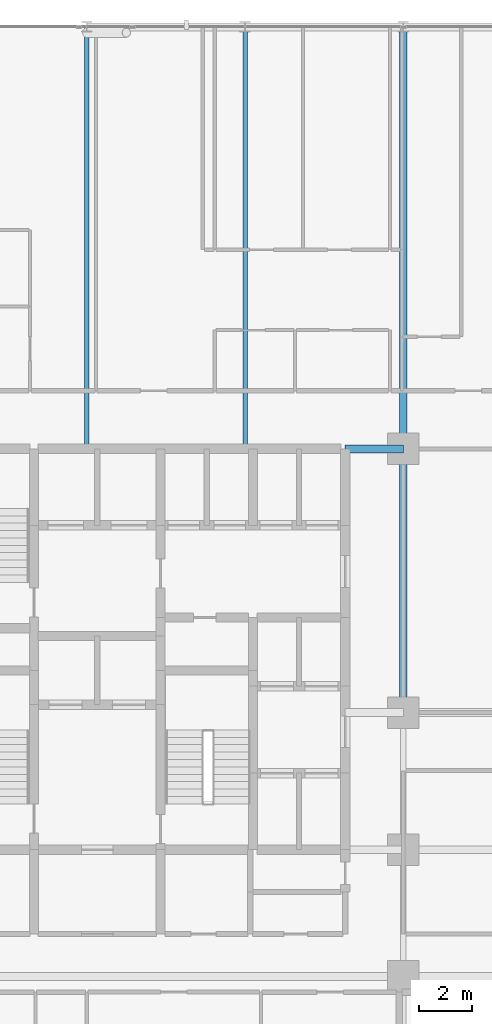
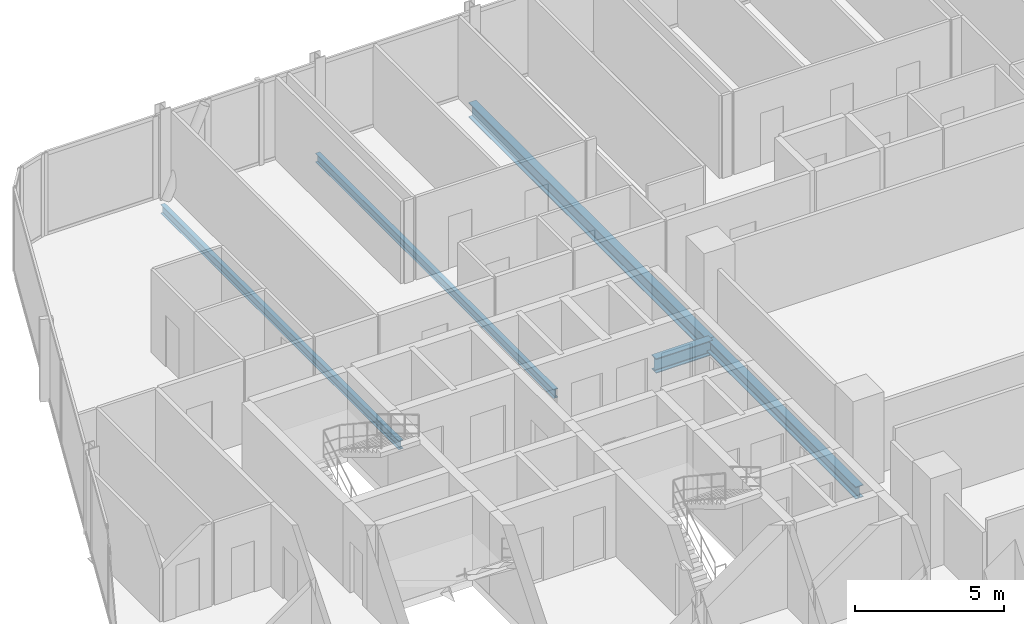
# One storey, part 13 of 34: 5 beams.
"""IFC4 building model written with IfcOpenShell, lengths in metres."""

from ifc_helpers import new_model, si_unit, direction, frame, origin, origin_2d, place, context, subcontext, project, spatial, i_section, extrude, material, material_profile, profile_set, type_object, element, save


model = new_model("IFC4")

# Units and contexts
model_context = context("Model", 3, precision=1e-05, world=origin(), true_north=direction((0.0, 1.0)))
body_context = subcontext(model_context, "Body", "Model", "MODEL_VIEW")
ifc_project = project(units=[si_unit("LENGTHUNIT", "METRE"), si_unit("AREAUNIT", "SQUARE_METRE"), si_unit("VOLUMEUNIT", "CUBIC_METRE"), si_unit("PLANEANGLEUNIT", "RADIAN"), si_unit("MASSUNIT", "GRAM", prefix="KILO")], contexts=[model_context])

# Site, building, storey
site_placement = place(None, origin())
site = spatial("IfcSite", under=ifc_project, at=site_placement, CompositionType="ELEMENT")
building_placement = place(site_placement, origin())
building = spatial("IfcBuilding", under=site, at=building_placement, Name="Keshet Zoharim Tower", CompositionType="ELEMENT")
storey_placement = place(building_placement, frame((0.0, 0.0, 53.60009765625)))
storey = spatial("IfcBuildingStorey", under=building, at=storey_placement, Name="L12", CompositionType="ELEMENT", Elevation=53.60009765625)

# Beams
ifc_material = material(Name="Steel S355", Category="steel")
ifc_material_profile_1 = material_profile(ifc_material, i_section(OverallWidth=0.300048828125, OverallDepth=0.60009765625, WebThickness=0.015380859375, FlangeThickness=0.030029296875, FilletRadius=0.027099609375, at=origin_2d()), Name="HEB600")
ifc_profile_set_1 = profile_set([ifc_material_profile_1], Name="Steel S355")
beam_type_1 = type_object("IfcBeamType", Name="BM-CLK-HB600", PredefinedType="BEAM", material=ifc_profile_set_1)
beam_1_placement = place(storey_placement, frame((30.800048828125, 37.89990234375, -0.614990234375), z_axis=(1.0, 0.0, 0.0), x_axis=(0.0, 1.0, 0.0)))
element("IfcBeam", 1, at=beam_1_placement, inside=storey, type_object=beam_type_1, Name="L12 Core Wall Link Girder 03", PredefinedType="BEAM", context=body_context, shape_type="SweptSolid", body=[
    extrude(i_section(OverallWidth=0.300048828125, OverallDepth=0.60009765625, WebThickness=0.015380859375, FlangeThickness=0.030029296875, FilletRadius=0.027099609375, at=origin_2d()), origin(), (0.0, 0.0, 1.0), 2.199951171875),
])
ifc_material_profile_2 = material_profile(ifc_material, i_section(OverallWidth=0.169921875, OverallDepth=0.360107421875, WebThickness=0.008056640625, FlangeThickness=0.0126953125, FilletRadius=0.01806640625, at=origin_2d()), Name="IPE360")
ifc_profile_set_2 = profile_set([ifc_material_profile_2], Name="Steel S355")
beam_type_2 = type_object("IfcBeamType", Name="BM-JST-IP360", PredefinedType="JOIST", material=ifc_profile_set_2)
for number, where, z_axis, x_axis, name in (
    (2, (21.0, 37.89990234375, -0.4951171875), (0.0, 1.0, 0.0), (-1.0, 0.0, 0.0), "L12 Secondary Floor Joist J-001"),
    (3, (27.0, 37.89990234375, -0.4951171875), (0.0, 1.0, 0.0), (-1.0, 0.0, 0.0), "L12 Secondary Floor Joist J-002"),
):
    element("IfcBeam", number, at=place(storey_placement, frame(where, z_axis=z_axis, x_axis=x_axis)), inside=storey, type_object=beam_type_2, Name=name, PredefinedType="JOIST", context=body_context, shape_type="SweptSolid", body=[
        extrude(i_section(OverallWidth=0.169921875, OverallDepth=0.360107421875, WebThickness=0.008056640625, FlangeThickness=0.0126953125, FilletRadius=0.01806640625, at=origin_2d()), origin(), (0.0, 0.0, 1.0), 16.0),
    ])
ifc_material_profile_3 = material_profile(ifc_material, i_section(OverallWidth=0.300048828125, OverallDepth=0.60009765625, WebThickness=0.015380859375, FlangeThickness=0.030029296875, FilletRadius=0.027099609375, at=origin_2d()), Name="HEB600")
ifc_profile_set_3 = profile_set([ifc_material_profile_3], Name="Steel S355")
beam_type_3 = type_object("IfcBeamType", Name="BM-LNG-HB600", PredefinedType="BEAM", material=ifc_profile_set_3)
beam_2_placement = place(storey_placement, frame((33.0, 37.89990234375, -0.614990234375), z_axis=(0.0, 1.0, 0.0), x_axis=(-1.0, 0.0, 0.0)))
element("IfcBeam", 4, at=beam_2_placement, inside=storey, type_object=beam_type_3, Name="L12 Primary Girder Y-011", PredefinedType="BEAM", context=body_context, shape_type="SweptSolid", body=[
    extrude(i_section(OverallWidth=0.300048828125, OverallDepth=0.60009765625, WebThickness=0.015380859375, FlangeThickness=0.030029296875, FilletRadius=0.027099609375, at=origin_2d()), origin(), (0.0, 0.0, 1.0), 16.0),
])
ifc_material_profile_4 = material_profile(ifc_material, i_section(OverallWidth=0.300048828125, OverallDepth=0.5, WebThickness=0.014404296875, FlangeThickness=0.028076171875, FilletRadius=0.027099609375, at=origin_2d()), Name="HEB500")
ifc_profile_set_4 = profile_set([ifc_material_profile_4], Name="Steel S355")
beam_type_4 = type_object("IfcBeamType", Name="BM-MED-HB500", PredefinedType="BEAM", material=ifc_profile_set_4)
beam_3_placement = place(storey_placement, frame((33.0, 27.89990234375, -0.565185546875), z_axis=(0.0, 1.0, 0.0), x_axis=(-1.0, 0.0, 0.0)))
element("IfcBeam", 5, at=beam_3_placement, inside=storey, type_object=beam_type_4, Name="L12 Primary Girder Y-010", PredefinedType="BEAM", context=body_context, shape_type="SweptSolid", body=[
    extrude(i_section(OverallWidth=0.300048828125, OverallDepth=0.5, WebThickness=0.014404296875, FlangeThickness=0.028076171875, FilletRadius=0.027099609375, at=origin_2d()), origin(), (0.0, 0.0, 1.0), 10.0),
])

save(model, "model.ifc")
